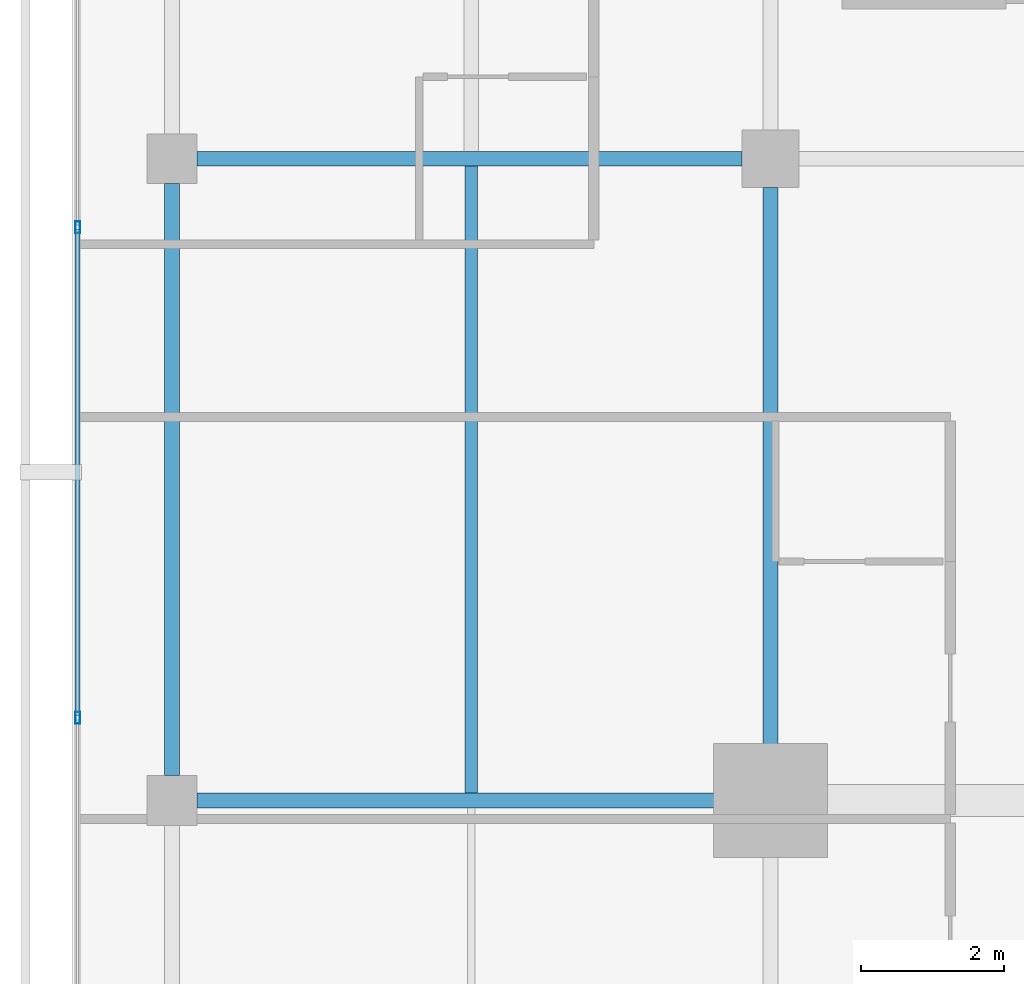
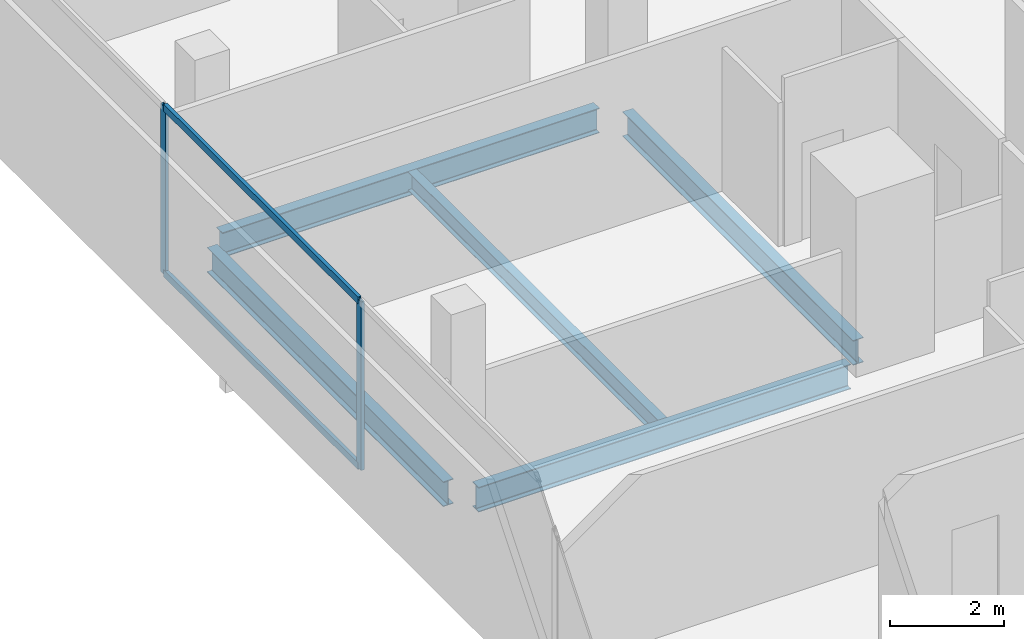
# One storey, part 8 of 25: 5 beams, 4 members, 1 element without a shape of its own.
"""IFC4 building model written with IfcOpenShell, lengths in metres."""

import ifcopenshell
import ifcopenshell.guid

model = None  # the IFC model being written
_history = None  # IfcOwnerHistory: only IFC2X3 demands one
_inside = {}  # id of a spatial element -> (the spatial element, [elements in it])
_under = {}  # id of a project, library or spatial element -> (it, [spatial elements below it])
_declared = {}  # id of a project -> (the project, [libraries it declares])
_typed = {}  # id of a type object -> (the type object, [elements of that type])
_made_of = {}  # id of a material, layer set ... -> (it, [elements and type objects made of it])


def new_model(schema):
    """Start an empty IFC model of exactly this schema.

    Asked for "IFC4X3", IfcOpenShell would pick the latest addendum, in which some entities
    have other attributes; the version numbers below select the first issue.
    IFC2X3 requires an IfcOwnerHistory on every rooted entity: one is made here for all.
    """
    global model, _history
    if schema == "IFC4X3":
        model = ifcopenshell.file(schema_version=(4, 3, 0, 0))
    else:
        model = ifcopenshell.file(schema=schema)
    _inside.clear()
    _under.clear()
    _declared.clear()
    _typed.clear()
    _made_of.clear()
    _history = None
    if model.schema == "IFC2X3":
        org = make("IfcOrganization", Name="unknown")
        user = make(
            "IfcPersonAndOrganization",
            ThePerson=make("IfcPerson", FamilyName="unknown"),
            TheOrganization=org,
        )
        app = make(
            "IfcApplication",
            ApplicationDeveloper=org,
            Version="unknown",
            ApplicationFullName="unknown",
            ApplicationIdentifier="unknown",
        )
        _history = make(
            "IfcOwnerHistory",
            OwningUser=user,
            OwningApplication=app,
            ChangeAction="ADDED",
            CreationDate=0,
        )
    return model


def make(cls, **values):
    """One entity of the class cls with the attributes given. An attribute that is None is left unset."""
    return model.create_entity(
        cls, **{name: value for name, value in values.items() if value is not None}
    )


def rooted(cls, **values):
    """An entity with a GlobalId (a new one), such as an element, a storey or a relation."""
    return make(cls, GlobalId=ifcopenshell.guid.new(), OwnerHistory=_history, **values)


def si_unit(unit_type, name, prefix=None):
    """IfcSIUnit, for example si_unit("LENGTHUNIT", "METRE", prefix="MILLI")."""
    return make("IfcSIUnit", UnitType=unit_type, Prefix=prefix, Name=name)


def assignment(units):
    """IfcUnitAssignment: the units of a project."""
    return None if units is None else make("IfcUnitAssignment", Units=units)


def point(xyz):
    """IfcCartesianPoint."""
    return None if xyz is None else make("IfcCartesianPoint", Coordinates=xyz)


def direction(xyz):
    """IfcDirection."""
    return None if xyz is None else make("IfcDirection", DirectionRatios=xyz)


def frame(location, z_axis=None, x_axis=None):
    """IfcAxis2Placement3D, a coordinate frame: its origin and axes. An axis left out is left unset."""
    return make(
        "IfcAxis2Placement3D",
        Location=point(location),
        Axis=direction(z_axis),
        RefDirection=direction(x_axis),
    )


def frame_2d(location, x_axis=None):
    """IfcAxis2Placement2D, a coordinate frame in the plane: its origin and x axis."""
    return make(
        "IfcAxis2Placement2D", Location=point(location), RefDirection=direction(x_axis)
    )


def origin():
    """The frame at (0, 0, 0) with its axes left unset."""
    return frame((0.0, 0.0, 0.0))


def origin_2d():
    """The frame at (0, 0) in the plane with its x axis left unset."""
    return frame_2d((0.0, 0.0))


def place(relative_to, where):
    """IfcLocalPlacement: puts the frame where relative to a parent placement (None: the world)."""
    return make(
        "IfcLocalPlacement", PlacementRelTo=relative_to, RelativePlacement=where
    )


def context(
    kind, dimensions, precision=None, world=None, true_north=None, identifier=None
):
    """IfcGeometricRepresentationContext, for example the 3D "Model" context."""
    return make(
        "IfcGeometricRepresentationContext",
        ContextIdentifier=identifier,
        ContextType=kind,
        CoordinateSpaceDimension=dimensions,
        Precision=precision,
        WorldCoordinateSystem=world,
        TrueNorth=true_north,
    )


def subcontext(parent, identifier, kind, view, scale=None):
    """IfcGeometricRepresentationSubContext, for example "Body" below "Model"."""
    return make(
        "IfcGeometricRepresentationSubContext",
        ContextIdentifier=identifier,
        ContextType=kind,
        ParentContext=parent,
        TargetScale=scale,
        TargetView=view,
    )


def project(units=None, contexts=None):
    """IfcProject with its units and contexts."""
    return rooted(
        "IfcProject",
        Name="project",
        RepresentationContexts=contexts,
        UnitsInContext=assignment(units),
    )


def spatial(cls, under=None, at=None, **own):
    """A site, building, storey or space (cls), placed at a placement, below another one or the project."""
    s = rooted(cls, ObjectPlacement=at, **own)
    if under is not None:
        _under.setdefault(under.id(), (under, []))[1].append(s)
    return s


def profile(cls, at=None, kind="AREA", **sizes):
    """A parametric profile (cls). Its sizes go by their IFC names, for example OverallWidth=200.0."""
    return make(cls, ProfileType=kind, Position=at, **sizes)


def hollow_rectangle(**sizes):
    """IfcRectangleHollowProfileDef."""
    return profile("IfcRectangleHollowProfileDef", **sizes)


def i_section(**sizes):
    """IfcIShapeProfileDef."""
    return profile("IfcIShapeProfileDef", **sizes)


def extrude(swept, where, along, depth):
    """IfcExtrudedAreaSolid: the profile swept, set in the frame where, extruded along a direction by depth."""
    return make(
        "IfcExtrudedAreaSolid",
        SweptArea=swept,
        Position=where,
        ExtrudedDirection=direction(along),
        Depth=depth,
    )


def shape(context_of_items, identifier, shape_type, items):
    """IfcShapeRepresentation: the items that make up one representation, for example the "Body"."""
    return make(
        "IfcShapeRepresentation",
        ContextOfItems=context_of_items,
        RepresentationIdentifier=identifier,
        RepresentationType=shape_type,
        Items=items,
    )


def material(Name=None, Category=None):
    """IfcMaterial."""
    return make("IfcMaterial", Name=Name, Category=Category)


def layer(
    of_material, thickness, ventilated=None, Name=None, Category=None, Priority=None
):
    """IfcMaterialLayer: one layer of a wall or slab, of a material (None: an air gap)."""
    return make(
        "IfcMaterialLayer",
        Material=of_material,
        LayerThickness=thickness,
        IsVentilated=ventilated,
        Name=Name,
        Category=Category,
        Priority=Priority,
    )


def layer_set(layers, Name=None):
    """IfcMaterialLayerSet."""
    return make("IfcMaterialLayerSet", MaterialLayers=layers, LayerSetName=Name)


def material_profile(
    of_material, cross_section, Name=None, Category=None, Priority=None
):
    """IfcMaterialProfile: a cross section and its material."""
    return make(
        "IfcMaterialProfile",
        Name=Name,
        Material=of_material,
        Profile=cross_section,
        Priority=Priority,
        Category=Category,
    )


def profile_set(profiles, Name=None, composite=None):
    """IfcMaterialProfileSet."""
    return make(
        "IfcMaterialProfileSet",
        Name=Name,
        MaterialProfiles=profiles,
        CompositeProfile=composite,
    )


def made_of(thing, what):
    """Note that an element or type object is made of a material, layer set ...; save() writes the relation."""
    if what is not None:
        _made_of.setdefault(what.id(), (what, []))[1].append(thing)
    return thing


def type_object(cls, material=None, **own):
    """A type object (cls), such as IfcWallType, which elements share."""
    return made_of(rooted(cls, **own), material)


def element(
    cls,
    number,
    at=None,
    inside=None,
    cuts=None,
    type_object=None,
    material=None,
    context=None,
    identifier="Body",
    shape_type=None,
    held_by="IfcProductDefinitionShape",
    body=None,
    shapes=None,
    **own,
):
    """One element of the class cls, such as IfcWall. Its Tag is "e" and its number.

    at: its placement. inside: the storey or other place that contains it. cuts: it is an
    opening in that element (IfcRelVoidsElement). A single representation is given by context,
    identifier, shape_type and body (its items); several are given by shapes. held_by: the class
    of the entity that holds the representations. save() writes the other relations.
    """
    e = rooted(cls, Tag="e%d" % number, ObjectPlacement=at, **own)
    if body is not None:
        shapes = [shape(context, identifier, shape_type, body)]
    if shapes is not None:
        e.Representation = make(held_by, Representations=shapes)
    if inside is not None:
        _inside.setdefault(inside.id(), (inside, []))[1].append(e)
    if cuts is not None:
        rooted(
            "IfcRelVoidsElement", RelatingBuildingElement=cuts, RelatedOpeningElement=e
        )
    if type_object is not None:
        _typed.setdefault(type_object.id(), (type_object, []))[1].append(e)
    return made_of(e, material)


def aggregate(whole, parts):
    """IfcRelAggregates: a whole, such as a stair, and the parts it consists of."""
    return rooted("IfcRelAggregates", RelatingObject=whole, RelatedObjects=parts)


def save(model, path):
    """Write the relations noted so far, then the file.

    IfcRelAggregates (storeys below a building ...), IfcRelContainedInSpatialStructure (elements
    in a storey), IfcRelDefinesByType, IfcRelAssociatesMaterial and IfcRelDeclares: one each for
    every whole, place, type object, material and project.
    """
    for whole, parts in _under.values():
        aggregate(whole, parts)
    for where, things in _inside.values():
        rooted(
            "IfcRelContainedInSpatialStructure",
            RelatedElements=things,
            RelatingStructure=where,
        )
    for kind, things in _typed.values():
        rooted("IfcRelDefinesByType", RelatedObjects=things, RelatingType=kind)
    for what, things in _made_of.values():
        rooted("IfcRelAssociatesMaterial", RelatedObjects=things, RelatingMaterial=what)
    for by, libraries in _declared.values():
        rooted("IfcRelDeclares", RelatingContext=by, RelatedDefinitions=libraries)
    model.write(path)


model = new_model("IFC4")

# Units and contexts
model_context = context("Model", 3, precision=1e-05, world=origin(), true_north=direction((0.0, 1.0)))
body_context = subcontext(model_context, "Body", "Model", "MODEL_VIEW")
ifc_project = project(units=[si_unit("LENGTHUNIT", "METRE"), si_unit("AREAUNIT", "SQUARE_METRE"), si_unit("VOLUMEUNIT", "CUBIC_METRE"), si_unit("PLANEANGLEUNIT", "RADIAN"), si_unit("MASSUNIT", "GRAM", prefix="KILO")], contexts=[model_context])

# Site, building, storey
site_placement = place(None, origin())
site = spatial("IfcSite", under=ifc_project, at=site_placement, CompositionType="ELEMENT")
building_placement = place(site_placement, origin())
building = spatial("IfcBuilding", under=site, at=building_placement, Name="Maruvema Waterfront Hotel and Observation Tower", CompositionType="ELEMENT")
storey_placement = place(building_placement, frame((0.0, 0.0, 239.39990234375)))
storey = spatial("IfcBuildingStorey", under=building, at=storey_placement, Name="L58", CompositionType="ELEMENT", Elevation=239.39990234375)

# Curtain wall, members
ifc_material_1 = material(Name="Anodised bronze aluminium and solar-control low-E IGU", Category="aluminium")
ifc_layer = layer(ifc_material_1, 0.159912109375, Name="Zone 3 Champagne Inner Thermal Curtain Wall System CW-04")
ifc_layer_set = layer_set([ifc_layer], Name="Anodised bronze aluminium and solar-control low-E IGU")
curtain_wall_type = type_object("IfcCurtainWallType", Name="Zone 3 Champagne Inner Thermal Curtain Wall System CW-04", PredefinedType="USERDEFINED", material=ifc_layer_set)
curtain_wall_placement = place(storey_placement, origin())
curtain_wall = element("IfcCurtainWall", 1, at=curtain_wall_placement, inside=storey, type_object=curtain_wall_type, Name="L58 Curtain Wall CW-L58-W", ObjectType="UNITISED CURTAIN WALL", PredefinedType="USERDEFINED")
ifc_material_2 = material(Name="Anodised architectural bronze aluminium", Category="aluminium")
ifc_material_profile_1 = material_profile(ifc_material_2, hollow_rectangle(XDim=0.070068359375, YDim=0.14990234375, WallThickness=0.00390625, at=origin_2d()), Name="ALU-T70x150")
ifc_profile_set_1 = profile_set([ifc_material_profile_1], Name="Anodised architectural bronze aluminium")
member_type_1 = type_object("IfcMemberType", Name="Curtain Wall Horizontal Transom ALU-T70x150", PredefinedType="USERDEFINED", material=ifc_profile_set_1)
member_1_placement = place(storey_placement, frame((15.47998046875, 35.010009765625, 0.030029296875), z_axis=(0.0, -1.0, 0.0), x_axis=(1.0, 0.0, 0.0)))
member_1 = element("IfcMember", 2, at=member_1_placement, type_object=member_type_1, Name="CW-04 transom 3.1", ObjectType="TRANSOM", PredefinedType="USERDEFINED", context=body_context, shape_type="SweptSolid", body=[
    extrude(hollow_rectangle(XDim=0.070068359375, YDim=0.14990234375, WallThickness=0.00390625, at=origin_2d()), origin(), (0.0, 0.0, 1.0), 6.820068359375),
])
member_2_placement = place(storey_placement, frame((15.47998046875, 35.010009765625, 3.580078125), z_axis=(0.0, -1.0, 0.0), x_axis=(1.0, 0.0, 0.0)))
member_2 = element("IfcMember", 3, at=member_2_placement, type_object=member_type_1, Name="CW-04 transom 3.2", ObjectType="TRANSOM", PredefinedType="USERDEFINED", context=body_context, shape_type="SweptSolid", body=[
    extrude(hollow_rectangle(XDim=0.070068359375, YDim=0.14990234375, WallThickness=0.00390625, at=origin_2d()), origin(), (0.0, 0.0, 1.0), 6.820068359375),
])
ifc_material_3 = material(Name="Anodised architectural bronze aluminium", Category="aluminium")
ifc_material_profile_2 = material_profile(ifc_material_3, hollow_rectangle(XDim=0.06494140625, YDim=0.1650390625, WallThickness=0.00390625, at=origin_2d()), Name="ALU-M65x165")
ifc_profile_set_2 = profile_set([ifc_material_profile_2], Name="Anodised architectural bronze aluminium")
member_type_2 = type_object("IfcMemberType", Name="Curtain Wall Primary Mullion ALU-M65x165", PredefinedType="MULLION", material=ifc_profile_set_2)
member_3_placement = place(storey_placement, frame((15.47998046875, 35.0400390625, 0.0), z_axis=(0.0, 0.0, 1.0), x_axis=(1.0, 0.0, 0.0)))
member_3 = element("IfcMember", 4, at=member_3_placement, type_object=member_type_2, Name="CW-04 mullion 3", PredefinedType="MULLION", context=body_context, shape_type="SweptSolid", body=[
    extrude(hollow_rectangle(XDim=0.06494140625, YDim=0.1650390625, WallThickness=0.00390625, at=origin_2d()), origin(), (0.0, 0.0, 1.0), 3.610107421875),
])
member_4_placement = place(storey_placement, frame((15.47998046875, 28.159912109375, 0.0), z_axis=(0.0, 0.0, 1.0), x_axis=(1.0, 0.0, 0.0)))
member_4 = element("IfcMember", 5, at=member_4_placement, type_object=member_type_2, Name="CW-04 mullion 4", PredefinedType="MULLION", context=body_context, shape_type="SweptSolid", body=[
    extrude(hollow_rectangle(XDim=0.06494140625, YDim=0.1650390625, WallThickness=0.00390625, at=origin_2d()), origin(), (0.0, 0.0, 1.0), 3.610107421875),
])
aggregate(curtain_wall, [member_3, member_4, member_1, member_2])

# Beams
ifc_material_4 = material(Name="Steel ASTM A572 Grade 50", Category="steel")
ifc_material_profile_3 = material_profile(ifc_material_4, i_section(OverallWidth=0.208984375, OverallDepth=0.532958984375, WebThickness=0.01025390625, FlangeThickness=0.015625, FilletRadius=0.014892578125, at=origin_2d()), Name="W530x92.0")
ifc_profile_set_3 = profile_set([ifc_material_profile_3], Name="Steel ASTM A572 Grade 50")
beam_type_1 = type_object("IfcBeamType", Name="Primary Floor Girder W530x92.0", PredefinedType="BEAM", material=ifc_profile_set_3)
beam_1_placement = place(storey_placement, frame((17.14990234375, 27.0, -0.50634765625), z_axis=(1.0, 0.0, 0.0), x_axis=(0.0, 1.0, 0.0)))
element("IfcBeam", 6, at=beam_1_placement, inside=storey, type_object=beam_type_1, Name="L58 Floor Girder EW-09", PredefinedType="BEAM", context=body_context, shape_type="SweptSolid", body=[
    extrude(i_section(OverallWidth=0.208984375, OverallDepth=0.532958984375, WebThickness=0.01025390625, FlangeThickness=0.015625, FilletRadius=0.014892578125, at=origin_2d()), origin(), (0.0, 0.0, 1.0), 7.550048828125),
])
beam_2_placement = place(storey_placement, frame((17.14990234375, 36.0, -0.50634765625), z_axis=(1.0, 0.0, 0.0), x_axis=(0.0, 1.0, 0.0)))
element("IfcBeam", 7, at=beam_2_placement, inside=storey, type_object=beam_type_1, Name="L58 Floor Girder EW-12", PredefinedType="BEAM", context=body_context, shape_type="SweptSolid", body=[
    extrude(i_section(OverallWidth=0.208984375, OverallDepth=0.532958984375, WebThickness=0.01025390625, FlangeThickness=0.015625, FilletRadius=0.014892578125, at=origin_2d()), origin(), (0.0, 0.0, 1.0), 7.650146484375),
])
beam_3_placement = place(storey_placement, frame((16.800048828125, 27.35009765625, -0.50634765625), z_axis=(0.0, 1.0, 0.0), x_axis=(-1.0, 0.0, 0.0)))
element("IfcBeam", 8, at=beam_3_placement, inside=storey, type_object=beam_type_1, Name="L58 Floor Girder NS-02", PredefinedType="BEAM", context=body_context, shape_type="SweptSolid", body=[
    extrude(i_section(OverallWidth=0.208984375, OverallDepth=0.532958984375, WebThickness=0.01025390625, FlangeThickness=0.015625, FilletRadius=0.014892578125, at=origin_2d()), origin(), (0.0, 0.0, 1.0), 8.2998046875),
])
beam_4_placement = place(storey_placement, frame((25.199951171875, 27.5, -0.50634765625), z_axis=(0.0, 1.0, 0.0), x_axis=(-1.0, 0.0, 0.0)))
element("IfcBeam", 9, at=beam_4_placement, inside=storey, type_object=beam_type_1, Name="L58 Floor Girder NS-06", PredefinedType="BEAM", context=body_context, shape_type="SweptSolid", body=[
    extrude(i_section(OverallWidth=0.208984375, OverallDepth=0.532958984375, WebThickness=0.01025390625, FlangeThickness=0.015625, FilletRadius=0.014892578125, at=origin_2d()), origin(), (0.0, 0.0, 1.0), 8.10009765625),
])
ifc_material_5 = material(Name="Steel ASTM A572 Grade 50", Category="steel")
ifc_material_profile_4 = material_profile(ifc_material_5, i_section(OverallWidth=0.177001953125, OverallDepth=0.403076171875, WebThickness=0.007568359375, FlangeThickness=0.010986328125, FilletRadius=0.014892578125, at=origin_2d()), Name="W410x53.0")
ifc_profile_set_4 = profile_set([ifc_material_profile_4], Name="Steel ASTM A572 Grade 50")
beam_type_2 = type_object("IfcBeamType", Name="Secondary Floor Joist W410x53.0", PredefinedType="JOIST", material=ifc_profile_set_4)
beam_5_placement = place(storey_placement, frame((21.0, 27.1044921875, -0.44140625), z_axis=(0.0, 1.0, 0.0), x_axis=(-1.0, 0.0, 0.0)))
element("IfcBeam", 10, at=beam_5_placement, inside=storey, type_object=beam_type_2, Name="L58 Secondary Floor Joist JS-02", PredefinedType="JOIST", context=body_context, shape_type="SweptSolid", body=[
    extrude(i_section(OverallWidth=0.177001953125, OverallDepth=0.403076171875, WebThickness=0.007568359375, FlangeThickness=0.010986328125, FilletRadius=0.014892578125, at=origin_2d()), origin(), (0.0, 0.0, 1.0), 8.791015625),
])

save(model, "model.ifc")
